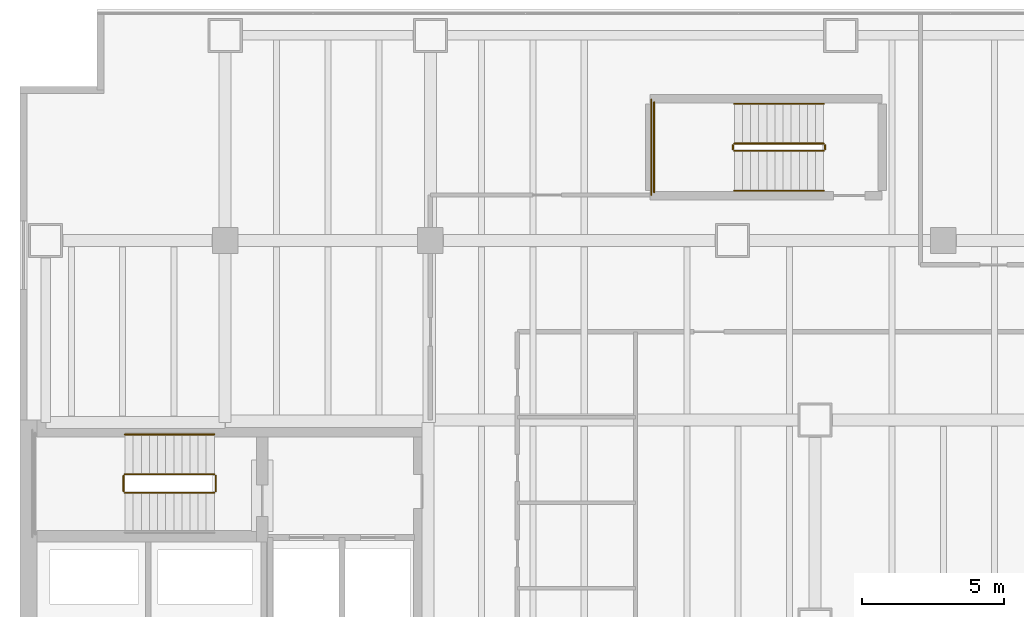
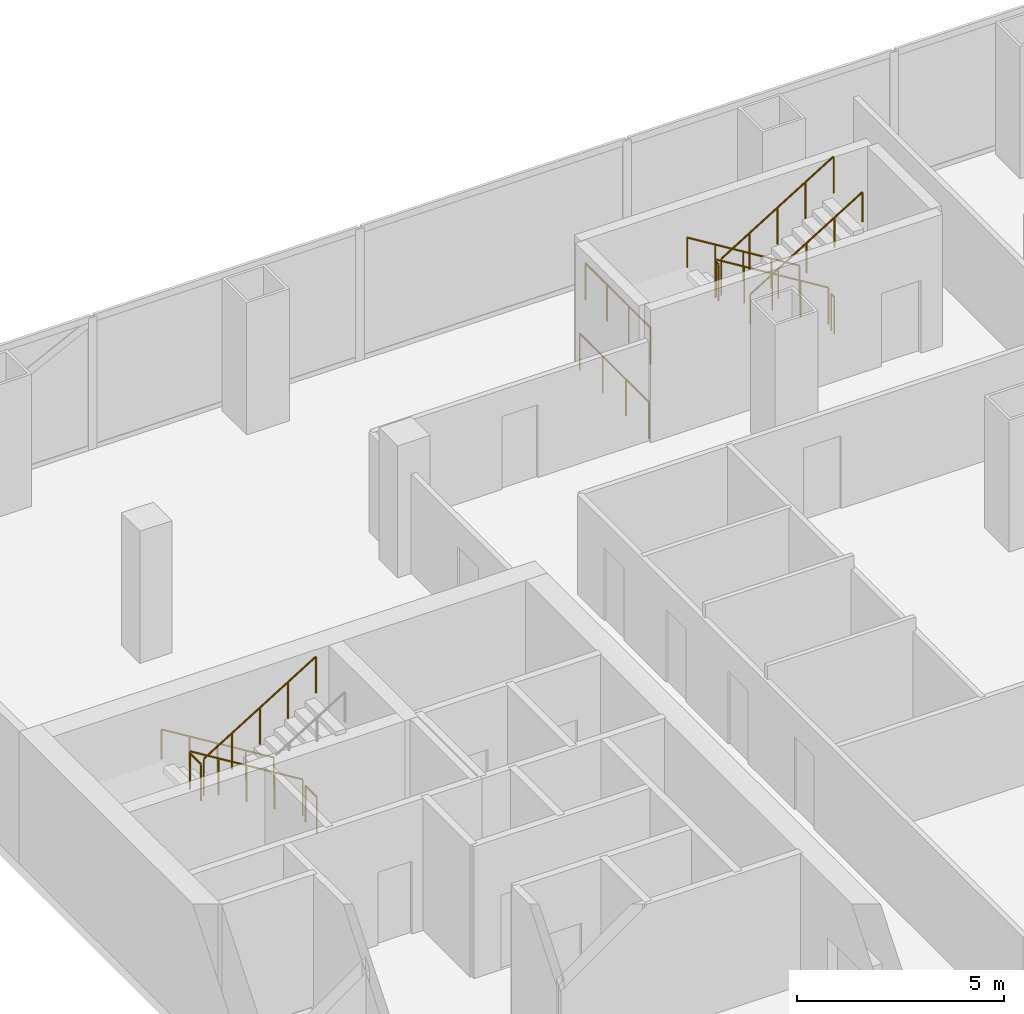
# One storey, part 34 of 34: 13 railings.
"""IFC4 building model written with IfcOpenShell, lengths in metres."""

from ifc_helpers import new_model, si_unit, direction, frame, origin, origin_2d, place, context, subcontext, project, spatial, circle, extrude, material, type_object, element, save


model = new_model("IFC4")

# Units and contexts
model_context = context("Model", 3, precision=1e-05, world=origin(), true_north=direction((0.0, 1.0)))
body_context = subcontext(model_context, "Body", "Model", "MODEL_VIEW")
ifc_project = project(units=[si_unit("LENGTHUNIT", "METRE"), si_unit("AREAUNIT", "SQUARE_METRE"), si_unit("VOLUMEUNIT", "CUBIC_METRE"), si_unit("PLANEANGLEUNIT", "RADIAN"), si_unit("MASSUNIT", "GRAM", prefix="KILO")], contexts=[model_context])

# Site, building, storey
site_placement = place(None, origin())
site = spatial("IfcSite", under=ifc_project, at=site_placement, CompositionType="ELEMENT")
building_placement = place(site_placement, origin())
building = spatial("IfcBuilding", under=site, at=building_placement, Name="Cobrela Telecom Tower", CompositionType="ELEMENT")
storey_placement = place(building_placement, frame((0.0, 0.0, 5.25)))
storey = spatial("IfcBuildingStorey", under=building, at=storey_placement, Name="L01", CompositionType="ELEMENT", Elevation=5.25)

# Railings
ifc_material = material(Name="Steel ASTM A36", Category="steel")
railing_type_1 = type_object("IfcRailingType", Name="RAIL-GUARD-1100", PredefinedType="GUARDRAIL", material=ifc_material)
railing_1_placement = place(storey_placement, frame((6.820068359375, 34.10009765625, 0.175048828125)))
element("IfcRailing", 1, at=railing_1_placement, inside=storey, type_object=railing_type_1, Name="L01 ST1 stair guard 1", PredefinedType="GUARDRAIL", context=body_context, shape_type="SweptSolid", body=[
    extrude(circle(Radius=0.02392578125, at=origin_2d()), frame((0.0, 0.0, 1.076171875), z_axis=(-0.852166034122, 0.0, 0.523271488128), x_axis=(0.0, -1.0, 0.0)), (0.0, 0.0, 1.0), 3.678955078125),
    extrude(circle(Radius=0.02099609375, at=origin_2d()), origin(), (0.0, 0.0, 1.0), 1.052001953125),
    extrude(circle(Radius=0.02099609375, at=origin_2d()), frame((-0.78369140625, 0.0, 0.481201171875)), (0.0, 0.0, 1.0), 1.052001953125),
    extrude(circle(Radius=0.02099609375, at=origin_2d()), frame((-1.5673828125, 0.0, 0.96240234375)), (0.0, 0.0, 1.0), 1.052001953125),
    extrude(circle(Radius=0.02099609375, at=origin_2d()), frame((-2.351318359375, 0.0, 1.44384765625)), (0.0, 0.0, 1.0), 1.052001953125),
    extrude(circle(Radius=0.02099609375, at=origin_2d()), frame((-3.135009765625, 0.0, 1.925048828125)), (0.0, 0.0, 1.0), 1.052001953125),
])
railing_2_placement = place(storey_placement, frame((3.635009765625, 34.050048828125, 2.10009765625)))
element("IfcRailing", 2, at=railing_2_placement, inside=storey, type_object=railing_type_1, Name="L01 ST1 stair guard 2", PredefinedType="GUARDRAIL", context=body_context, shape_type="SweptSolid", body=[
    extrude(circle(Radius=0.02392578125, at=origin_2d()), frame((0.0, 0.0, 1.076171875), z_axis=(0.0, -1.0, 0.0), x_axis=(1.0, 0.0, 0.0)), (0.0, 0.0, 1.0), 0.550048828125),
    extrude(circle(Radius=0.02099609375, at=origin_2d()), origin(), (0.0, 0.0, 1.0), 1.052001953125),
    extrude(circle(Radius=0.02099609375, at=origin_2d()), frame((0.0, -0.550048828125, 0.0)), (0.0, 0.0, 1.0), 1.052001953125),
])
railing_3_placement = place(storey_placement, frame((3.68505859375, 33.449951171875, 2.27490234375)))
element("IfcRailing", 3, at=railing_3_placement, inside=storey, type_object=railing_type_1, Name="L01 ST1 stair guard 4", PredefinedType="GUARDRAIL", context=body_context, shape_type="SweptSolid", body=[
    extrude(circle(Radius=0.02392578125, at=origin_2d()), frame((0.0, 0.0, 1.076171875), z_axis=(0.852166034122, 0.0, 0.523271488128), x_axis=(0.0, 1.0, 0.0)), (0.0, 0.0, 1.0), 3.678955078125),
    extrude(circle(Radius=0.02099609375, at=origin_2d()), origin(), (0.0, 0.0, 1.0), 1.052001953125),
    extrude(circle(Radius=0.02099609375, at=origin_2d()), frame((0.78369140625, 0.0, 0.481201171875)), (0.0, 0.0, 1.0), 1.052001953125),
    extrude(circle(Radius=0.02099609375, at=origin_2d()), frame((1.5673828125, 0.0, 0.96240234375)), (0.0, 0.0, 1.0), 1.052001953125),
    extrude(circle(Radius=0.02099609375, at=origin_2d()), frame((2.351318359375, 0.0, 1.44384765625)), (0.0, 0.0, 1.0), 1.052001953125),
    extrude(circle(Radius=0.02099609375, at=origin_2d()), frame((3.135009765625, 0.0, 1.925048828125)), (0.0, 0.0, 1.0), 1.052001953125),
])
railing_4_placement = place(storey_placement, frame((6.8701171875, 34.050048828125, 0.0)))
element("IfcRailing", 4, at=railing_4_placement, inside=storey, type_object=railing_type_1, Name="L01 ST1 stair guard 5", PredefinedType="GUARDRAIL", context=body_context, shape_type="SweptSolid", body=[
    extrude(circle(Radius=0.02392578125, at=origin_2d()), frame((0.0, 0.0, 1.076171875), z_axis=(0.0, -1.0, 0.0), x_axis=(1.0, 0.0, 0.0)), (0.0, 0.0, 1.0), 0.550048828125),
    extrude(circle(Radius=0.02099609375, at=origin_2d()), origin(), (0.0, 0.0, 1.0), 1.052001953125),
    extrude(circle(Radius=0.02099609375, at=origin_2d()), frame((0.0, -0.550048828125, 0.0)), (0.0, 0.0, 1.0), 1.052001953125),
])
railing_5_placement = place(storey_placement, frame((28.199951171875, 45.699951171875, 0.175048828125)))
element("IfcRailing", 5, at=railing_5_placement, inside=storey, type_object=railing_type_1, Name="L01 ST3 stair guard 1", PredefinedType="GUARDRAIL", context=body_context, shape_type="SweptSolid", body=[
    extrude(circle(Radius=0.02392578125, at=origin_2d()), frame((0.0, 0.0, 1.076171875), z_axis=(-0.852166034122, 0.0, 0.523271488128), x_axis=(0.0, -1.0, 0.0)), (0.0, 0.0, 1.0), 3.678955078125),
    extrude(circle(Radius=0.02099609375, at=origin_2d()), origin(), (0.0, 0.0, 1.0), 1.052001953125),
    extrude(circle(Radius=0.02099609375, at=origin_2d()), frame((-0.78369140625, 0.0, 0.481201171875)), (0.0, 0.0, 1.0), 1.052001953125),
    extrude(circle(Radius=0.02099609375, at=origin_2d()), frame((-1.5673828125, 0.0, 0.96240234375)), (0.0, 0.0, 1.0), 1.052001953125),
    extrude(circle(Radius=0.02099609375, at=origin_2d()), frame((-2.351318359375, 0.0, 1.44384765625)), (0.0, 0.0, 1.0), 1.052001953125),
    extrude(circle(Radius=0.02099609375, at=origin_2d()), frame((-3.135009765625, 0.0, 1.925048828125)), (0.0, 0.0, 1.0), 1.052001953125),
])
railing_6_placement = place(storey_placement, frame((25.014892578125, 45.64990234375, 2.10009765625)))
element("IfcRailing", 6, at=railing_6_placement, inside=storey, type_object=railing_type_1, Name="L01 ST3 stair guard 2", PredefinedType="GUARDRAIL", context=body_context, shape_type="SweptSolid", body=[
    extrude(circle(Radius=0.02392578125, at=origin_2d()), frame((0.0, 0.0, 1.076171875), z_axis=(0.0, -1.0, 0.0), x_axis=(1.0, 0.0, 0.0)), (0.0, 0.0, 1.0), 0.14990234375),
    extrude(circle(Radius=0.02099609375, at=origin_2d()), origin(), (0.0, 0.0, 1.0), 1.052001953125),
    extrude(circle(Radius=0.02099609375, at=origin_2d()), frame((0.0, -0.14990234375, 0.0)), (0.0, 0.0, 1.0), 1.052001953125),
])
railing_7_placement = place(storey_placement, frame((22.25, 47.14990234375, 2.10009765625)))
element("IfcRailing", 7, at=railing_7_placement, inside=storey, type_object=railing_type_1, Name="L01 ST3 stair guard 3", PredefinedType="GUARDRAIL", context=body_context, shape_type="SweptSolid", body=[
    extrude(circle(Radius=0.02392578125, at=origin_2d()), frame((0.0, 0.0, 1.076171875), z_axis=(0.0, -1.0, 0.0), x_axis=(1.0, 0.0, 0.0)), (0.0, 0.0, 1.0), 3.14990234375),
    extrude(circle(Radius=0.02099609375, at=origin_2d()), origin(), (0.0, 0.0, 1.0), 1.052001953125),
    extrude(circle(Radius=0.02099609375, at=origin_2d()), frame((0.0, -1.050048828125, 0.0)), (0.0, 0.0, 1.0), 1.052001953125),
    extrude(circle(Radius=0.02099609375, at=origin_2d()), frame((0.0, -2.099853515625, 0.0)), (0.0, 0.0, 1.0), 1.052001953125),
    extrude(circle(Radius=0.02099609375, at=origin_2d()), frame((0.0, -3.14990234375, 0.0)), (0.0, 0.0, 1.0), 1.052001953125),
])
railing_8_placement = place(storey_placement, frame((25.06494140625, 45.449951171875, 2.27490234375)))
element("IfcRailing", 8, at=railing_8_placement, inside=storey, type_object=railing_type_1, Name="L01 ST3 stair guard 4", PredefinedType="GUARDRAIL", context=body_context, shape_type="SweptSolid", body=[
    extrude(circle(Radius=0.02392578125, at=origin_2d()), frame((0.0, 0.0, 1.076171875), z_axis=(0.852166034122, 0.0, 0.523271488128), x_axis=(0.0, 1.0, 0.0)), (0.0, 0.0, 1.0), 3.678955078125),
    extrude(circle(Radius=0.02099609375, at=origin_2d()), origin(), (0.0, 0.0, 1.0), 1.052001953125),
    extrude(circle(Radius=0.02099609375, at=origin_2d()), frame((0.78369140625, 0.0, 0.481201171875)), (0.0, 0.0, 1.0), 1.052001953125),
    extrude(circle(Radius=0.02099609375, at=origin_2d()), frame((1.5673828125, 0.0, 0.96240234375)), (0.0, 0.0, 1.0), 1.052001953125),
    extrude(circle(Radius=0.02099609375, at=origin_2d()), frame((2.351318359375, 0.0, 1.44384765625)), (0.0, 0.0, 1.0), 1.052001953125),
    extrude(circle(Radius=0.02099609375, at=origin_2d()), frame((3.135009765625, 0.0, 1.925048828125)), (0.0, 0.0, 1.0), 1.052001953125),
])
railing_9_placement = place(storey_placement, frame((28.25, 45.64990234375, 0.0)))
element("IfcRailing", 9, at=railing_9_placement, inside=storey, type_object=railing_type_1, Name="L01 ST3 stair guard 5", PredefinedType="GUARDRAIL", context=body_context, shape_type="SweptSolid", body=[
    extrude(circle(Radius=0.02392578125, at=origin_2d()), frame((0.0, 0.0, 1.076171875), z_axis=(0.0, -1.0, 0.0), x_axis=(1.0, 0.0, 0.0)), (0.0, 0.0, 1.0), 0.14990234375),
    extrude(circle(Radius=0.02099609375, at=origin_2d()), origin(), (0.0, 0.0, 1.0), 1.052001953125),
    extrude(circle(Radius=0.02099609375, at=origin_2d()), frame((0.0, -0.14990234375, 0.0)), (0.0, 0.0, 1.0), 1.052001953125),
])
railing_10_placement = place(storey_placement, frame((22.14990234375, 47.25, 0.0)))
element("IfcRailing", 10, at=railing_10_placement, inside=storey, type_object=railing_type_1, Name="L01 ST3 stair guard 6", PredefinedType="GUARDRAIL", context=body_context, shape_type="SweptSolid", body=[
    extrude(circle(Radius=0.02392578125, at=origin_2d()), frame((0.0, 0.0, 1.076171875), z_axis=(0.0, -1.0, 0.0), x_axis=(1.0, 0.0, 0.0)), (0.0, 0.0, 1.0), 3.35009765625),
    extrude(circle(Radius=0.02099609375, at=origin_2d()), origin(), (0.0, 0.0, 1.0), 1.052001953125),
    extrude(circle(Radius=0.02099609375, at=origin_2d()), frame((0.0, -1.11669921875, 0.0)), (0.0, 0.0, 1.0), 1.052001953125),
    extrude(circle(Radius=0.02099609375, at=origin_2d()), frame((0.0, -2.2333984375, 0.0)), (0.0, 0.0, 1.0), 1.052001953125),
    extrude(circle(Radius=0.02099609375, at=origin_2d()), frame((0.0, -3.35009765625, 0.0)), (0.0, 0.0, 1.0), 1.052001953125),
])
railing_type_2 = type_object("IfcRailingType", Name="RAIL-HAND-920", PredefinedType="HANDRAIL", material=ifc_material)
for number, where, name in (
    (11, (6.820068359375, 35.5, 0.175048828125), "L01 ST1 stair handrail 1"),
    (12, (28.199951171875, 47.10009765625, 0.175048828125), "L01 ST3 stair handrail 1"),
):
    element("IfcRailing", number, at=place(storey_placement, frame(where)), inside=storey, type_object=railing_type_2, Name=name, PredefinedType="HANDRAIL", context=body_context, shape_type="SweptSolid", body=[
        extrude(circle(Radius=0.02392578125, at=origin_2d()), frame((0.0, 0.0, 0.8759765625), z_axis=(-0.852166034122, 0.0, 0.523271488128), x_axis=(0.0, -1.0, 0.0)), (0.0, 0.0, 1.0), 3.678955078125),
        extrude(circle(Radius=0.02099609375, at=origin_2d()), origin(), (0.0, 0.0, 1.0), 0.851806640625),
        extrude(circle(Radius=0.02099609375, at=origin_2d()), frame((-0.78369140625, 0.0, 0.481201171875)), (0.0, 0.0, 1.0), 0.851806640625),
        extrude(circle(Radius=0.02099609375, at=origin_2d()), frame((-1.5673828125, 0.0, 0.96240234375)), (0.0, 0.0, 1.0), 0.851806640625),
        extrude(circle(Radius=0.02099609375, at=origin_2d()), frame((-2.351318359375, 0.0, 1.44384765625)), (0.0, 0.0, 1.0), 0.851806640625),
        extrude(circle(Radius=0.02099609375, at=origin_2d()), frame((-3.135009765625, 0.0, 1.925048828125)), (0.0, 0.0, 1.0), 0.851806640625),
    ])
railing_11_placement = place(storey_placement, frame((25.06494140625, 44.050048828125, 2.27490234375)))
element("IfcRailing", 13, at=railing_11_placement, inside=storey, type_object=railing_type_2, Name="L01 ST3 stair handrail 2", PredefinedType="HANDRAIL", context=body_context, shape_type="SweptSolid", body=[
    extrude(circle(Radius=0.02392578125, at=origin_2d()), frame((0.0, 0.0, 0.8759765625), z_axis=(0.852166034122, 0.0, 0.523271488128), x_axis=(0.0, 1.0, 0.0)), (0.0, 0.0, 1.0), 3.678955078125),
    extrude(circle(Radius=0.02099609375, at=origin_2d()), origin(), (0.0, 0.0, 1.0), 0.851806640625),
    extrude(circle(Radius=0.02099609375, at=origin_2d()), frame((0.78369140625, 0.0, 0.481201171875)), (0.0, 0.0, 1.0), 0.851806640625),
    extrude(circle(Radius=0.02099609375, at=origin_2d()), frame((1.5673828125, 0.0, 0.96240234375)), (0.0, 0.0, 1.0), 0.851806640625),
    extrude(circle(Radius=0.02099609375, at=origin_2d()), frame((2.351318359375, 0.0, 1.44384765625)), (0.0, 0.0, 1.0), 0.851806640625),
    extrude(circle(Radius=0.02099609375, at=origin_2d()), frame((3.135009765625, 0.0, 1.925048828125)), (0.0, 0.0, 1.0), 0.851806640625),
])

save(model, "model.ifc")
